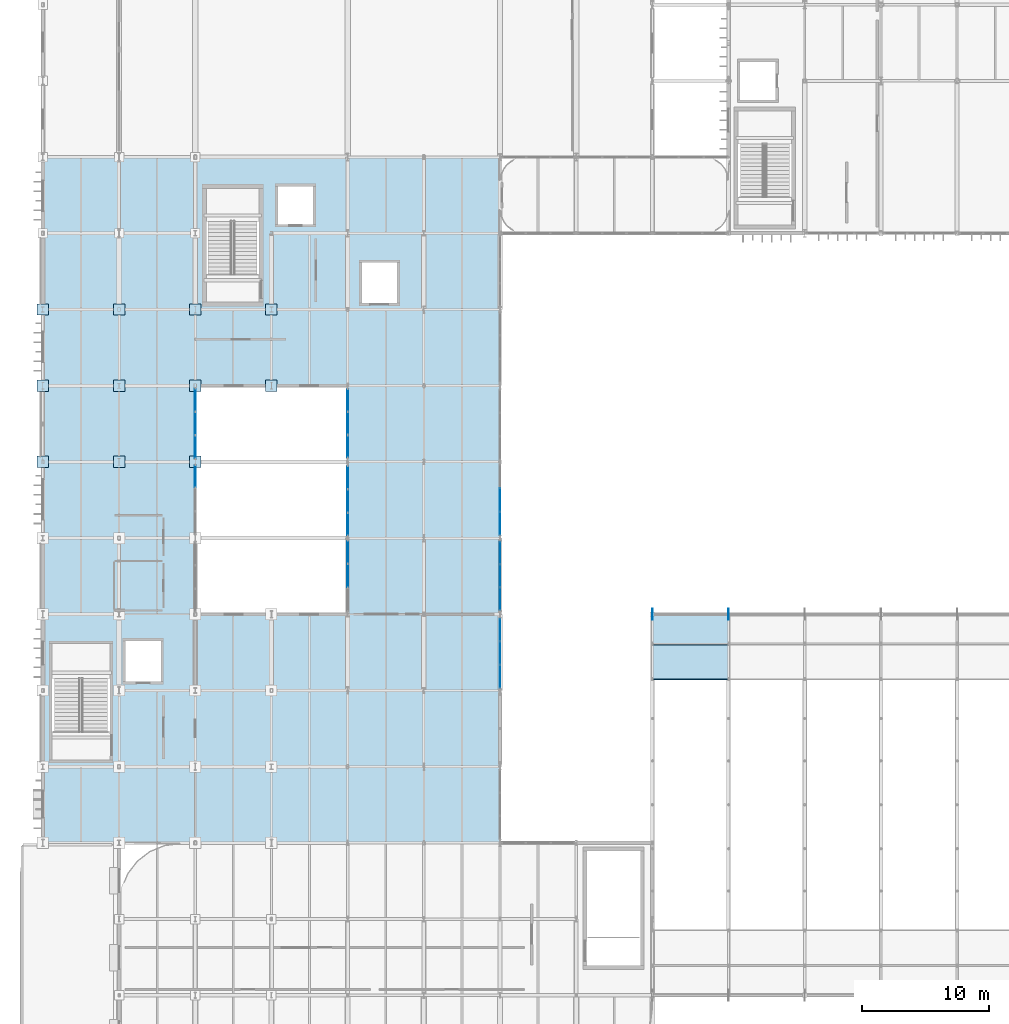
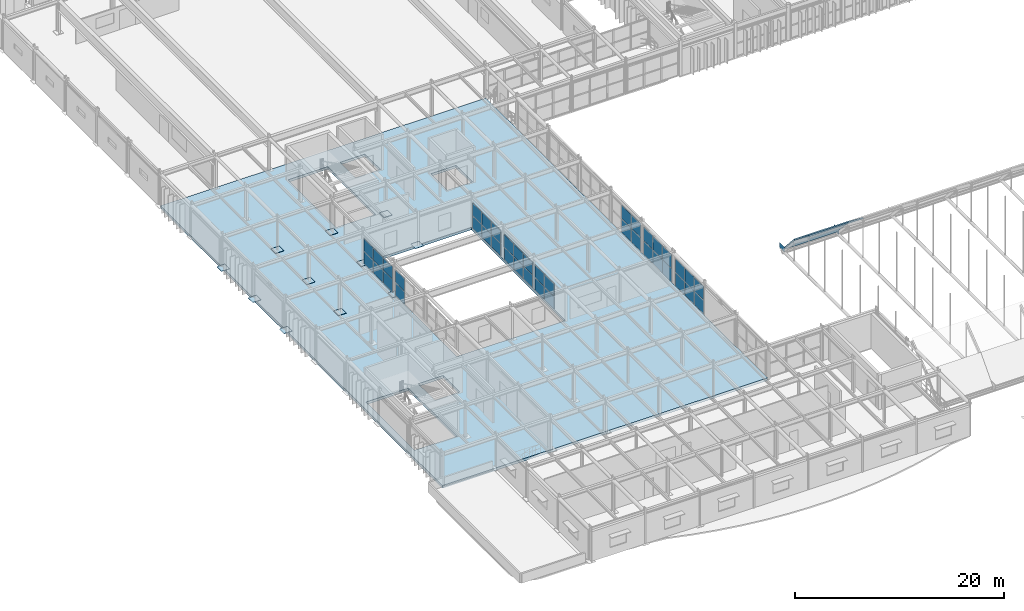
# One storey, part 77 of 116: 53 plates, 3 slabs, 8 elements without a shape of their own.
"""IFC4 building model written with IfcOpenShell, lengths in metres."""

from ifc_helpers import new_model, si_unit, direction, frame, origin, origin_2d, place, context, subcontext, project, spatial, polyline, rectangle, outline, extrude, material, layer, layer_set, type_object, element, aggregate, save


model = new_model("IFC4")

# Units and contexts
model_context = context("Model", 3, precision=1e-05, world=origin(), true_north=direction((0.0, 1.0)))
body_context = subcontext(model_context, "Body", "Model", "MODEL_VIEW")
ifc_project = project(units=[si_unit("LENGTHUNIT", "METRE"), si_unit("AREAUNIT", "SQUARE_METRE"), si_unit("VOLUMEUNIT", "CUBIC_METRE"), si_unit("PLANEANGLEUNIT", "RADIAN"), si_unit("MASSUNIT", "GRAM", prefix="KILO")], contexts=[model_context])

# Site, building, storey
site_placement = place(None, origin())
site = spatial("IfcSite", under=ifc_project, at=site_placement, CompositionType="ELEMENT")
building_placement = place(site_placement, origin())
building = spatial("IfcBuilding", under=site, at=building_placement, Name="Varnakota Square Police Headquarters", CompositionType="ELEMENT")
storey_placement = place(building_placement, frame((0.0, 0.0, 9.300048828125)))
storey = spatial("IfcBuildingStorey", under=building, at=storey_placement, Name="L02", CompositionType="ELEMENT", Elevation=9.300048828125)

# Curtain wall, plates
ifc_material_1 = material(Name="Anodised Aluminium Framing", Category="aluminium")
curtain_wall_type_1 = type_object("IfcCurtainWallType", Name="CW-SYS-D", PredefinedType="NOTDEFINED", material=ifc_material_1)
curtain_wall_1_placement = place(storey_placement, origin())
curtain_wall_1 = element("IfcCurtainWall", 1, at=curtain_wall_1_placement, inside=storey, type_object=curtain_wall_type_1, Name="Unitised curtain wall CWG-L02-155", PredefinedType="NOTDEFINED")
ifc_material_2 = material(Name="Solar-Control Laminated Double Glazing", Category="glass")
ifc_layer_1 = layer(ifc_material_2, 0.028076171875, Name="Solar-Control Laminated Double Glazing")
ifc_layer_set_1 = layer_set([ifc_layer_1], Name="Solar-Control Laminated Double Glazing")
plate_type_1 = type_object("IfcPlateType", Name="CWP-GLZ-28", PredefinedType="CURTAIN_PANEL", material=ifc_layer_set_1)
plate_1_placement = place(storey_placement, frame((42.0, 34.0986328125, 0.06494140625), z_axis=(0.0, 0.0, 1.0), x_axis=(0.0, 1.0, 0.0)))
plate_1 = element("IfcPlate", 2, at=plate_1_placement, type_object=plate_type_1, Name="CWG-L02-155 panel 1.1", PredefinedType="CURTAIN_PANEL", context=body_context, shape_type="SweptSolid", body=[
    extrude(rectangle(XDim=1.757568359375, YDim=0.028076171875, at=origin_2d()), origin(), (0.0, 0.0, 1.0), 1.572509765625),
])
plate_2_placement = place(storey_placement, frame((42.0, 35.9375, 0.06494140625), z_axis=(0.0, 0.0, 1.0), x_axis=(0.0, 1.0, 0.0)))
plate_2 = element("IfcPlate", 3, at=plate_2_placement, type_object=plate_type_1, Name="CWG-L02-155 panel 2.1", PredefinedType="CURTAIN_PANEL", context=body_context, shape_type="SweptSolid", body=[
    extrude(rectangle(XDim=1.7900390625, YDim=0.028076171875, at=origin_2d()), origin(), (0.0, 0.0, 1.0), 1.572509765625),
])
plate_3_placement = place(storey_placement, frame((42.0, 37.7763671875, 0.06494140625), z_axis=(0.0, 0.0, 1.0), x_axis=(0.0, 1.0, 0.0)))
plate_3 = element("IfcPlate", 4, at=plate_3_placement, type_object=plate_type_1, Name="CWG-L02-155 panel 3.1", PredefinedType="CURTAIN_PANEL", context=body_context, shape_type="SweptSolid", body=[
    extrude(rectangle(XDim=1.757568359375, YDim=0.028076171875, at=origin_2d()), origin(), (0.0, 0.0, 1.0), 1.572509765625),
])

# Curtain wall, plate
curtain_wall_type_2 = type_object("IfcCurtainWallType", Name="CW-SYS-F", PredefinedType="NOTDEFINED", material=ifc_material_1)
curtain_wall_2_placement = place(storey_placement, origin())
curtain_wall_2 = element("IfcCurtainWall", 5, at=curtain_wall_2_placement, inside=storey, type_object=curtain_wall_type_2, Name="Unitised curtain wall CWG-L02-163", PredefinedType="NOTDEFINED")
plate_4_placement = place(storey_placement, frame((18.0, 49.859619140625, 0.06494140625), z_axis=(0.0, 0.0, 1.0), x_axis=(0.0, 1.0, 0.0)))
plate_4 = element("IfcPlate", 6, at=plate_4_placement, type_object=plate_type_1, Name="CWG-L02-163 panel 3.1", PredefinedType="CURTAIN_PANEL", context=body_context, shape_type="SweptSolid", body=[
    extrude(rectangle(XDim=1.74072265625, YDim=0.028076171875, at=origin_2d()), origin(), (0.0, 0.0, 1.0), 1.447509765625),
])

# Curtain wall, plates
curtain_wall_3_placement = place(storey_placement, origin())
curtain_wall_3 = element("IfcCurtainWall", 7, at=curtain_wall_3_placement, inside=storey, type_object=curtain_wall_type_1, Name="Unitised curtain wall CWG-L02-156", PredefinedType="NOTDEFINED")
ifc_material_3 = material(Name="Acoustic Laminated Double Glazing", Category="glass")
ifc_layer_2 = layer(ifc_material_3, 0.031982421875, Name="Acoustic Laminated Double Glazing")
ifc_layer_set_2 = layer_set([ifc_layer_2], Name="Acoustic Laminated Double Glazing")
plate_type_2 = type_object("IfcPlateType", Name="CWP-GLZ-32", PredefinedType="CURTAIN_PANEL", material=ifc_layer_set_2)
plate_5_placement = place(storey_placement, frame((42.0, 40.21533203125, 0.06494140625), z_axis=(0.0, 0.0, 1.0), x_axis=(0.0, 1.0, 0.0)))
plate_5 = element("IfcPlate", 8, at=plate_5_placement, type_object=plate_type_2, Name="CWG-L02-156 panel 1.1", PredefinedType="CURTAIN_PANEL", context=body_context, shape_type="SweptSolid", body=[
    extrude(rectangle(XDim=1.74072265625, YDim=0.031982421875, at=origin_2d()), origin(), (0.0, 0.0, 1.0), 1.572509765625),
])
plate_6_placement = place(storey_placement, frame((42.0, 42.03759765625, 0.06494140625), z_axis=(0.0, 0.0, 1.0), x_axis=(0.0, 1.0, 0.0)))
plate_6 = element("IfcPlate", 9, at=plate_6_placement, type_object=plate_type_2, Name="CWG-L02-156 panel 2.1", PredefinedType="CURTAIN_PANEL", context=body_context, shape_type="SweptSolid", body=[
    extrude(rectangle(XDim=1.7734375, YDim=0.031982421875, at=origin_2d()), origin(), (0.0, 0.0, 1.0), 1.572509765625),
])
plate_7_placement = place(storey_placement, frame((42.0, 43.859619140625, 0.06494140625), z_axis=(0.0, 0.0, 1.0), x_axis=(0.0, 1.0, 0.0)))
plate_7 = element("IfcPlate", 10, at=plate_7_placement, type_object=plate_type_2, Name="CWG-L02-156 panel 3.1", PredefinedType="CURTAIN_PANEL", context=body_context, shape_type="SweptSolid", body=[
    extrude(rectangle(XDim=1.74072265625, YDim=0.031982421875, at=origin_2d()), origin(), (0.0, 0.0, 1.0), 1.572509765625),
])

curtain_wall_4_placement = place(storey_placement, origin())
curtain_wall_4 = element("IfcCurtainWall", 11, at=curtain_wall_4_placement, inside=storey, type_object=curtain_wall_type_2, Name="Unitised curtain wall CWG-L02-164", PredefinedType="NOTDEFINED")
plate_8_placement = place(storey_placement, frame((30.0, 46.0986328125, 0.06494140625), z_axis=(0.0, 0.0, 1.0), x_axis=(0.0, 1.0, 0.0)))
plate_8 = element("IfcPlate", 12, at=plate_8_placement, type_object=plate_type_2, Name="CWG-L02-164 panel 1.1", PredefinedType="CURTAIN_PANEL", context=body_context, shape_type="SweptSolid", body=[
    extrude(rectangle(XDim=1.757568359375, YDim=0.031982421875, at=origin_2d()), origin(), (0.0, 0.0, 1.0), 1.447509765625),
])
plate_9_placement = place(storey_placement, frame((30.0, 47.9375, 0.06494140625), z_axis=(0.0, 0.0, 1.0), x_axis=(0.0, 1.0, 0.0)))
plate_9 = element("IfcPlate", 13, at=plate_9_placement, type_object=plate_type_2, Name="CWG-L02-164 panel 2.1", PredefinedType="CURTAIN_PANEL", context=body_context, shape_type="SweptSolid", body=[
    extrude(rectangle(XDim=1.7900390625, YDim=0.031982421875, at=origin_2d()), origin(), (0.0, 0.0, 1.0), 1.447509765625),
])
plate_10_placement = place(storey_placement, frame((30.0, 49.7763671875, 0.06494140625), z_axis=(0.0, 0.0, 1.0), x_axis=(0.0, 1.0, 0.0)))
plate_10 = element("IfcPlate", 14, at=plate_10_placement, type_object=plate_type_2, Name="CWG-L02-164 panel 3.1", PredefinedType="CURTAIN_PANEL", context=body_context, shape_type="SweptSolid", body=[
    extrude(rectangle(XDim=1.757568359375, YDim=0.031982421875, at=origin_2d()), origin(), (0.0, 0.0, 1.0), 1.447509765625),
])

curtain_wall_5_placement = place(storey_placement, origin())
curtain_wall_5 = element("IfcCurtainWall", 15, at=curtain_wall_5_placement, inside=storey, type_object=curtain_wall_type_1, Name="Unitised curtain wall CWG-L02-157", PredefinedType="NOTDEFINED")
ifc_material_4 = material(Name="Blast-Resistant Laminated Glazing", Category="glass")
ifc_layer_3 = layer(ifc_material_4, 0.035888671875, Name="Blast-Resistant Laminated Glazing")
ifc_layer_set_3 = layer_set([ifc_layer_3], Name="Blast-Resistant Laminated Glazing")
plate_type_3 = type_object("IfcPlateType", Name="CWP-GLZ-36", PredefinedType="CURTAIN_PANEL", material=ifc_layer_set_3)
plate_11_placement = place(storey_placement, frame((42.0, 46.1611328125, 0.06494140625), z_axis=(0.0, 0.0, 1.0), x_axis=(0.0, 1.0, 0.0)))
plate_11 = element("IfcPlate", 16, at=plate_11_placement, type_object=plate_type_3, Name="CWG-L02-157 panel 1.1", PredefinedType="CURTAIN_PANEL", context=body_context, shape_type="SweptSolid", body=[
    extrude(rectangle(XDim=1.782470703125, YDim=0.035888671875, at=origin_2d()), origin(), (0.0, 0.0, 1.0), 1.572509765625),
])
plate_12_placement = place(storey_placement, frame((42.0, 48.02490234375, 0.06494140625), z_axis=(0.0, 0.0, 1.0), x_axis=(0.0, 1.0, 0.0)))
plate_12 = element("IfcPlate", 17, at=plate_12_placement, type_object=plate_type_3, Name="CWG-L02-157 panel 2.1", PredefinedType="CURTAIN_PANEL", context=body_context, shape_type="SweptSolid", body=[
    extrude(rectangle(XDim=1.81494140625, YDim=0.035888671875, at=origin_2d()), origin(), (0.0, 0.0, 1.0), 1.572509765625),
])

curtain_wall_6_placement = place(storey_placement, origin())
curtain_wall_6 = element("IfcCurtainWall", 18, at=curtain_wall_6_placement, inside=storey, type_object=curtain_wall_type_2, Name="Unitised curtain wall CWG-L02-165", PredefinedType="NOTDEFINED")
plate_13_placement = place(storey_placement, frame((18.0, 52.1611328125, 0.06494140625), z_axis=(0.0, 0.0, 1.0), x_axis=(0.0, 1.0, 0.0)))
plate_13 = element("IfcPlate", 19, at=plate_13_placement, type_object=plate_type_3, Name="CWG-L02-165 panel 1.1", PredefinedType="CURTAIN_PANEL", context=body_context, shape_type="SweptSolid", body=[
    extrude(rectangle(XDim=1.782470703125, YDim=0.035888671875, at=origin_2d()), origin(), (0.0, 0.0, 1.0), 1.447509765625),
])
plate_14_placement = place(storey_placement, frame((18.0, 54.02490234375, 0.06494140625), z_axis=(0.0, 0.0, 1.0), x_axis=(0.0, 1.0, 0.0)))
plate_14 = element("IfcPlate", 20, at=plate_14_placement, type_object=plate_type_3, Name="CWG-L02-165 panel 2.1", PredefinedType="CURTAIN_PANEL", context=body_context, shape_type="SweptSolid", body=[
    extrude(rectangle(XDim=1.81494140625, YDim=0.035888671875, at=origin_2d()), origin(), (0.0, 0.0, 1.0), 1.447509765625),
])
plate_15_placement = place(storey_placement, frame((18.0, 55.888671875, 0.06494140625), z_axis=(0.0, 0.0, 1.0), x_axis=(0.0, 1.0, 0.0)))
plate_15 = element("IfcPlate", 21, at=plate_15_placement, type_object=plate_type_3, Name="CWG-L02-165 panel 3.1", PredefinedType="CURTAIN_PANEL", context=body_context, shape_type="SweptSolid", body=[
    extrude(rectangle(XDim=1.782470703125, YDim=0.035888671875, at=origin_2d()), origin(), (0.0, 0.0, 1.0), 1.447509765625),
])

curtain_wall_7_placement = place(storey_placement, origin())
curtain_wall_7 = element("IfcCurtainWall", 22, at=curtain_wall_7_placement, inside=storey, type_object=curtain_wall_type_2, Name="Unitised curtain wall CWG-L02-162", PredefinedType="NOTDEFINED")
ifc_material_5 = material(Name="Triple-Glazed Clean-Lab Vision Unit", Category="aluminium")
ifc_layer_4 = layer(ifc_material_5, 0.0419921875, Name="Triple-Glazed Clean-Lab Vision Unit")
ifc_layer_set_4 = layer_set([ifc_layer_4], Name="Triple-Glazed Clean-Lab Vision Unit")
plate_type_4 = type_object("IfcPlateType", Name="CWP-GLZ-42", PredefinedType="CURTAIN_PANEL", material=ifc_layer_set_4)
plate_16_placement = place(storey_placement, frame((30.0, 42.02490234375, 0.06494140625), z_axis=(0.0, 0.0, 1.0), x_axis=(0.0, 1.0, 0.0)))
plate_16 = element("IfcPlate", 23, at=plate_16_placement, type_object=plate_type_4, Name="CWG-L02-162 panel 2.1", PredefinedType="CURTAIN_PANEL", context=body_context, shape_type="SweptSolid", body=[
    extrude(rectangle(XDim=1.81494140625, YDim=0.0419921875, at=origin_2d()), origin(), (0.0, 0.0, 1.0), 1.447509765625),
])
plate_17_placement = place(storey_placement, frame((30.0, 43.888671875, 0.06494140625), z_axis=(0.0, 0.0, 1.0), x_axis=(0.0, 1.0, 0.0)))
plate_17 = element("IfcPlate", 24, at=plate_17_placement, type_object=plate_type_4, Name="CWG-L02-162 panel 3.1", PredefinedType="CURTAIN_PANEL", context=body_context, shape_type="SweptSolid", body=[
    extrude(rectangle(XDim=1.782470703125, YDim=0.0419921875, at=origin_2d()), origin(), (0.0, 0.0, 1.0), 1.447509765625),
])

curtain_wall_8_placement = place(storey_placement, origin())
curtain_wall_8 = element("IfcCurtainWall", 25, at=curtain_wall_8_placement, inside=storey, type_object=curtain_wall_type_2, Name="Unitised curtain wall CWG-L02-166", PredefinedType="NOTDEFINED")
plate_18_placement = place(storey_placement, frame((30.0, 52.21533203125, 0.06494140625), z_axis=(0.0, 0.0, 1.0), x_axis=(0.0, 1.0, 0.0)))
plate_18 = element("IfcPlate", 26, at=plate_18_placement, type_object=plate_type_4, Name="CWG-L02-166 panel 1.1", PredefinedType="CURTAIN_PANEL", context=body_context, shape_type="SweptSolid", body=[
    extrude(rectangle(XDim=1.74072265625, YDim=0.0419921875, at=origin_2d()), origin(), (0.0, 0.0, 1.0), 1.447509765625),
])
plate_19_placement = place(storey_placement, frame((30.0, 54.03759765625, 0.06494140625), z_axis=(0.0, 0.0, 1.0), x_axis=(0.0, 1.0, 0.0)))
plate_19 = element("IfcPlate", 27, at=plate_19_placement, type_object=plate_type_4, Name="CWG-L02-166 panel 2.1", PredefinedType="CURTAIN_PANEL", context=body_context, shape_type="SweptSolid", body=[
    extrude(rectangle(XDim=1.7734375, YDim=0.0419921875, at=origin_2d()), origin(), (0.0, 0.0, 1.0), 1.447509765625),
])
plate_20_placement = place(storey_placement, frame((30.0, 55.859619140625, 0.06494140625), z_axis=(0.0, 0.0, 1.0), x_axis=(0.0, 1.0, 0.0)))
plate_20 = element("IfcPlate", 28, at=plate_20_placement, type_object=plate_type_4, Name="CWG-L02-166 panel 3.1", PredefinedType="CURTAIN_PANEL", context=body_context, shape_type="SweptSolid", body=[
    extrude(rectangle(XDim=1.74072265625, YDim=0.0419921875, at=origin_2d()), origin(), (0.0, 0.0, 1.0), 1.447509765625),
])

# Plate
ifc_material_6 = material(Name="Insulated Anodised Aluminium Spandrel Panel", Category="aluminium")
ifc_layer_5 = layer(ifc_material_6, 0.050048828125, Name="Insulated Anodised Aluminium Spandrel Panel")
ifc_layer_set_5 = layer_set([ifc_layer_5], Name="Insulated Anodised Aluminium Spandrel Panel")
plate_type_5 = type_object("IfcPlateType", Name="CWP-SPN-50", PredefinedType="CURTAIN_PANEL", material=ifc_layer_set_5)
plate_21_placement = place(storey_placement, frame((42.0, 34.0986328125, 1.70263671875), z_axis=(0.0, 0.0, 1.0), x_axis=(0.0, 1.0, 0.0)))
plate_21 = element("IfcPlate", 29, at=plate_21_placement, type_object=plate_type_5, Name="CWG-L02-155 panel 1.2", PredefinedType="CURTAIN_PANEL", context=body_context, shape_type="SweptSolid", body=[
    extrude(rectangle(XDim=1.757568359375, YDim=0.050048828125, at=origin_2d()), origin(), (0.0, 0.0, 1.0), 1.572509765625),
])

plate_22_placement = place(storey_placement, frame((42.0, 35.9375, 1.70263671875), z_axis=(0.0, 0.0, 1.0), x_axis=(0.0, 1.0, 0.0)))
plate_22 = element("IfcPlate", 30, at=plate_22_placement, type_object=plate_type_5, Name="CWG-L02-155 panel 2.2", PredefinedType="CURTAIN_PANEL", context=body_context, shape_type="SweptSolid", body=[
    extrude(rectangle(XDim=1.7900390625, YDim=0.050048828125, at=origin_2d()), origin(), (0.0, 0.0, 1.0), 1.572509765625),
])

plate_23_placement = place(storey_placement, frame((42.0, 37.7763671875, 1.70263671875), z_axis=(0.0, 0.0, 1.0), x_axis=(0.0, 1.0, 0.0)))
plate_23 = element("IfcPlate", 31, at=plate_23_placement, type_object=plate_type_5, Name="CWG-L02-155 panel 3.2", PredefinedType="CURTAIN_PANEL", context=body_context, shape_type="SweptSolid", body=[
    extrude(rectangle(XDim=1.757568359375, YDim=0.050048828125, at=origin_2d()), origin(), (0.0, 0.0, 1.0), 1.572509765625),
])

aggregate(curtain_wall_1, [plate_1, plate_21, plate_2, plate_22, plate_3, plate_23])

plate_24_placement = place(storey_placement, frame((42.0, 46.1611328125, 1.70263671875), z_axis=(0.0, 0.0, 1.0), x_axis=(0.0, 1.0, 0.0)))
plate_24 = element("IfcPlate", 32, at=plate_24_placement, type_object=plate_type_5, Name="CWG-L02-157 panel 1.2", PredefinedType="CURTAIN_PANEL", context=body_context, shape_type="SweptSolid", body=[
    extrude(rectangle(XDim=1.782470703125, YDim=0.050048828125, at=origin_2d()), origin(), (0.0, 0.0, 1.0), 1.572509765625),
])

plate_25_placement = place(storey_placement, frame((42.0, 48.02490234375, 1.70263671875), z_axis=(0.0, 0.0, 1.0), x_axis=(0.0, 1.0, 0.0)))
plate_25 = element("IfcPlate", 33, at=plate_25_placement, type_object=plate_type_5, Name="CWG-L02-157 panel 2.2", PredefinedType="CURTAIN_PANEL", context=body_context, shape_type="SweptSolid", body=[
    extrude(rectangle(XDim=1.81494140625, YDim=0.050048828125, at=origin_2d()), origin(), (0.0, 0.0, 1.0), 1.572509765625),
])

aggregate(curtain_wall_5, [plate_11, plate_24, plate_12, plate_25])

plate_26_placement = place(storey_placement, frame((18.0, 49.859619140625, 1.57763671875), z_axis=(0.0, 0.0, 1.0), x_axis=(0.0, 1.0, 0.0)))
plate_26 = element("IfcPlate", 34, at=plate_26_placement, type_object=plate_type_5, Name="CWG-L02-163 panel 3.2", PredefinedType="CURTAIN_PANEL", context=body_context, shape_type="SweptSolid", body=[
    extrude(rectangle(XDim=1.74072265625, YDim=0.050048828125, at=origin_2d()), origin(), (0.0, 0.0, 1.0), 1.447509765625),
])

aggregate(curtain_wall_2, [plate_4, plate_26])

plate_27_placement = place(storey_placement, frame((18.0, 52.1611328125, 1.57763671875), z_axis=(0.0, 0.0, 1.0), x_axis=(0.0, 1.0, 0.0)))
plate_27 = element("IfcPlate", 35, at=plate_27_placement, type_object=plate_type_5, Name="CWG-L02-165 panel 1.2", PredefinedType="CURTAIN_PANEL", context=body_context, shape_type="SweptSolid", body=[
    extrude(rectangle(XDim=1.782470703125, YDim=0.050048828125, at=origin_2d()), origin(), (0.0, 0.0, 1.0), 1.447509765625),
])

plate_28_placement = place(storey_placement, frame((18.0, 54.02490234375, 1.57763671875), z_axis=(0.0, 0.0, 1.0), x_axis=(0.0, 1.0, 0.0)))
plate_28 = element("IfcPlate", 36, at=plate_28_placement, type_object=plate_type_5, Name="CWG-L02-165 panel 2.2", PredefinedType="CURTAIN_PANEL", context=body_context, shape_type="SweptSolid", body=[
    extrude(rectangle(XDim=1.81494140625, YDim=0.050048828125, at=origin_2d()), origin(), (0.0, 0.0, 1.0), 1.447509765625),
])

plate_29_placement = place(storey_placement, frame((18.0, 55.888671875, 1.57763671875), z_axis=(0.0, 0.0, 1.0), x_axis=(0.0, 1.0, 0.0)))
plate_29 = element("IfcPlate", 37, at=plate_29_placement, type_object=plate_type_5, Name="CWG-L02-165 panel 3.2", PredefinedType="CURTAIN_PANEL", context=body_context, shape_type="SweptSolid", body=[
    extrude(rectangle(XDim=1.782470703125, YDim=0.050048828125, at=origin_2d()), origin(), (0.0, 0.0, 1.0), 1.447509765625),
])

aggregate(curtain_wall_6, [plate_13, plate_27, plate_14, plate_28, plate_15, plate_29])

ifc_material_7 = material(Name="Fire-Stopped Mineral-Wool Spandrel Panel", Category="aluminium")
ifc_layer_6 = layer(ifc_material_7, 0.06005859375, Name="Fire-Stopped Mineral-Wool Spandrel Panel")
ifc_layer_set_6 = layer_set([ifc_layer_6], Name="Fire-Stopped Mineral-Wool Spandrel Panel")
plate_type_6 = type_object("IfcPlateType", Name="CWP-SPN-60", PredefinedType="CURTAIN_PANEL", material=ifc_layer_set_6)
plate_30_placement = place(storey_placement, frame((42.0, 40.21533203125, 1.70263671875), z_axis=(0.0, 0.0, 1.0), x_axis=(0.0, 1.0, 0.0)))
plate_30 = element("IfcPlate", 38, at=plate_30_placement, type_object=plate_type_6, Name="CWG-L02-156 panel 1.2", PredefinedType="CURTAIN_PANEL", context=body_context, shape_type="SweptSolid", body=[
    extrude(rectangle(XDim=1.74072265625, YDim=0.06005859375, at=origin_2d()), origin(), (0.0, 0.0, 1.0), 1.572509765625),
])

plate_31_placement = place(storey_placement, frame((42.0, 42.03759765625, 1.70263671875), z_axis=(0.0, 0.0, 1.0), x_axis=(0.0, 1.0, 0.0)))
plate_31 = element("IfcPlate", 39, at=plate_31_placement, type_object=plate_type_6, Name="CWG-L02-156 panel 2.2", PredefinedType="CURTAIN_PANEL", context=body_context, shape_type="SweptSolid", body=[
    extrude(rectangle(XDim=1.7734375, YDim=0.06005859375, at=origin_2d()), origin(), (0.0, 0.0, 1.0), 1.572509765625),
])

plate_32_placement = place(storey_placement, frame((42.0, 43.859619140625, 1.70263671875), z_axis=(0.0, 0.0, 1.0), x_axis=(0.0, 1.0, 0.0)))
plate_32 = element("IfcPlate", 40, at=plate_32_placement, type_object=plate_type_6, Name="CWG-L02-156 panel 3.2", PredefinedType="CURTAIN_PANEL", context=body_context, shape_type="SweptSolid", body=[
    extrude(rectangle(XDim=1.74072265625, YDim=0.06005859375, at=origin_2d()), origin(), (0.0, 0.0, 1.0), 1.572509765625),
])

aggregate(curtain_wall_3, [plate_5, plate_30, plate_6, plate_31, plate_7, plate_32])

plate_33_placement = place(storey_placement, frame((30.0, 42.02490234375, 1.57763671875), z_axis=(0.0, 0.0, 1.0), x_axis=(0.0, 1.0, 0.0)))
plate_33 = element("IfcPlate", 41, at=plate_33_placement, type_object=plate_type_6, Name="CWG-L02-162 panel 2.2", PredefinedType="CURTAIN_PANEL", context=body_context, shape_type="SweptSolid", body=[
    extrude(rectangle(XDim=1.81494140625, YDim=0.06005859375, at=origin_2d()), origin(), (0.0, 0.0, 1.0), 1.447509765625),
])

plate_34_placement = place(storey_placement, frame((30.0, 43.888671875, 1.57763671875), z_axis=(0.0, 0.0, 1.0), x_axis=(0.0, 1.0, 0.0)))
plate_34 = element("IfcPlate", 42, at=plate_34_placement, type_object=plate_type_6, Name="CWG-L02-162 panel 3.2", PredefinedType="CURTAIN_PANEL", context=body_context, shape_type="SweptSolid", body=[
    extrude(rectangle(XDim=1.782470703125, YDim=0.06005859375, at=origin_2d()), origin(), (0.0, 0.0, 1.0), 1.447509765625),
])

aggregate(curtain_wall_7, [plate_16, plate_33, plate_17, plate_34])

plate_35_placement = place(storey_placement, frame((30.0, 46.0986328125, 1.57763671875), z_axis=(0.0, 0.0, 1.0), x_axis=(0.0, 1.0, 0.0)))
plate_35 = element("IfcPlate", 43, at=plate_35_placement, type_object=plate_type_6, Name="CWG-L02-164 panel 1.2", PredefinedType="CURTAIN_PANEL", context=body_context, shape_type="SweptSolid", body=[
    extrude(rectangle(XDim=1.757568359375, YDim=0.06005859375, at=origin_2d()), origin(), (0.0, 0.0, 1.0), 1.447509765625),
])

plate_36_placement = place(storey_placement, frame((30.0, 47.9375, 1.57763671875), z_axis=(0.0, 0.0, 1.0), x_axis=(0.0, 1.0, 0.0)))
plate_36 = element("IfcPlate", 44, at=plate_36_placement, type_object=plate_type_6, Name="CWG-L02-164 panel 2.2", PredefinedType="CURTAIN_PANEL", context=body_context, shape_type="SweptSolid", body=[
    extrude(rectangle(XDim=1.7900390625, YDim=0.06005859375, at=origin_2d()), origin(), (0.0, 0.0, 1.0), 1.447509765625),
])

plate_37_placement = place(storey_placement, frame((30.0, 49.7763671875, 1.57763671875), z_axis=(0.0, 0.0, 1.0), x_axis=(0.0, 1.0, 0.0)))
plate_37 = element("IfcPlate", 45, at=plate_37_placement, type_object=plate_type_6, Name="CWG-L02-164 panel 3.2", PredefinedType="CURTAIN_PANEL", context=body_context, shape_type="SweptSolid", body=[
    extrude(rectangle(XDim=1.757568359375, YDim=0.06005859375, at=origin_2d()), origin(), (0.0, 0.0, 1.0), 1.447509765625),
])

aggregate(curtain_wall_4, [plate_8, plate_35, plate_9, plate_36, plate_10, plate_37])

plate_38_placement = place(storey_placement, frame((30.0, 52.21533203125, 1.57763671875), z_axis=(0.0, 0.0, 1.0), x_axis=(0.0, 1.0, 0.0)))
plate_38 = element("IfcPlate", 46, at=plate_38_placement, type_object=plate_type_6, Name="CWG-L02-166 panel 1.2", PredefinedType="CURTAIN_PANEL", context=body_context, shape_type="SweptSolid", body=[
    extrude(rectangle(XDim=1.74072265625, YDim=0.06005859375, at=origin_2d()), origin(), (0.0, 0.0, 1.0), 1.447509765625),
])

plate_39_placement = place(storey_placement, frame((30.0, 54.03759765625, 1.57763671875), z_axis=(0.0, 0.0, 1.0), x_axis=(0.0, 1.0, 0.0)))
plate_39 = element("IfcPlate", 47, at=plate_39_placement, type_object=plate_type_6, Name="CWG-L02-166 panel 2.2", PredefinedType="CURTAIN_PANEL", context=body_context, shape_type="SweptSolid", body=[
    extrude(rectangle(XDim=1.7734375, YDim=0.06005859375, at=origin_2d()), origin(), (0.0, 0.0, 1.0), 1.447509765625),
])

plate_40_placement = place(storey_placement, frame((30.0, 55.859619140625, 1.57763671875), z_axis=(0.0, 0.0, 1.0), x_axis=(0.0, 1.0, 0.0)))
plate_40 = element("IfcPlate", 48, at=plate_40_placement, type_object=plate_type_6, Name="CWG-L02-166 panel 3.2", PredefinedType="CURTAIN_PANEL", context=body_context, shape_type="SweptSolid", body=[
    extrude(rectangle(XDim=1.74072265625, YDim=0.06005859375, at=origin_2d()), origin(), (0.0, 0.0, 1.0), 1.447509765625),
])

aggregate(curtain_wall_8, [plate_18, plate_38, plate_19, plate_39, plate_20, plate_40])

# Plates
ifc_material_8 = material(Name="Steel IS 2062 Grade 350", Category="steel")
ifc_layer_7 = layer(ifc_material_8, 0.031982421875, Name="Steel IS 2062 Grade 350")
ifc_layer_set_7 = layer_set([ifc_layer_7], Name="Steel IS 2062 Grade 350")
plate_type_7 = type_object("IfcPlateType", Name="PL-BASE-32", PredefinedType="SHEET", material=ifc_layer_set_7)
for number, where, z_axis, x_axis, name in (
    (49, (6.0, 51.0, 0.0), (0.0, 0.0, 1.0), (1.0, 0.0, 0.0), "Column base plate BP-006"),
    (50, (6.0, 57.0, 0.0), (0.0, 0.0, 1.0), (1.0, 0.0, 0.0), "Column base plate BP-007"),
    (51, (6.0, 63.0, 0.0), (0.0, 0.0, 1.0), (1.0, 0.0, 0.0), "Column base plate BP-008"),
    (52, (12.0, 51.0, 0.0), (0.0, 0.0, 1.0), (1.0, 0.0, 0.0), "Column base plate BP-024"),
    (53, (12.0, 57.0, 0.0), (0.0, 0.0, 1.0), (1.0, 0.0, 0.0), "Column base plate BP-025"),
    (54, (12.0, 63.0, 0.0), (0.0, 0.0, 1.0), (1.0, 0.0, 0.0), "Column base plate BP-026"),
    (55, (18.0, 51.0, 0.0), (0.0, 0.0, 1.0), (1.0, 0.0, 0.0), "Column base plate BP-039"),
    (56, (18.0, 57.0, 0.0), (0.0, 0.0, 1.0), (1.0, 0.0, 0.0), "Column base plate BP-040"),
    (57, (18.0, 63.0, 0.0), (0.0, 0.0, 1.0), (1.0, 0.0, 0.0), "Column base plate BP-041"),
    (58, (24.0, 57.0, 0.0), (0.0, 0.0, 1.0), (1.0, 0.0, 0.0), "Column base plate BP-053"),
    (59, (24.0, 63.0, 0.0), (0.0, 0.0, 1.0), (1.0, 0.0, 0.0), "Column base plate BP-054"),
):
    element("IfcPlate", number, at=place(storey_placement, frame(where, z_axis=z_axis, x_axis=x_axis)), inside=storey, type_object=plate_type_7, Name=name, PredefinedType="SHEET", context=body_context, shape_type="SweptSolid", body=[
        extrude(rectangle(XDim=0.89990234375, YDim=0.89990234375, at=origin_2d()), origin(), (0.0, 0.0, 1.0), 0.031982421875),
    ])
ifc_layer_8 = layer(ifc_material_8, 0.02001953125, Name="Steel IS 2062 Grade 350")
ifc_layer_set_8 = layer_set([ifc_layer_8], Name="Steel IS 2062 Grade 350")
plate_type_8 = type_object("IfcPlateType", Name="PL-GUS-20", PredefinedType="SHEET", material=ifc_layer_set_8)
for number, where, z_axis, x_axis, name in (
    (60, (54.0, 39.0, -0.150146484375), (0.0, 0.0, 1.0), (1.0, 0.0, 0.0), "Vault springing gusset GP-002"),
    (61, (60.0, 39.0, -0.150146484375), (0.0, 0.0, 1.0), (1.0, 0.0, 0.0), "Vault springing gusset GP-004"),
):
    element("IfcPlate", number, at=place(storey_placement, frame(where, z_axis=z_axis, x_axis=x_axis)), inside=storey, type_object=plate_type_8, Name=name, PredefinedType="SHEET", context=body_context, shape_type="SweptSolid", body=[
        extrude(rectangle(XDim=0.02001953125, YDim=0.89990234375, at=origin_2d()), origin(), (0.0, 0.0, 1.0), 0.60009765625),
    ])

# Slabs
ifc_material_9 = material(Name="Concrete M40", Category="concrete")
ifc_layer_9 = layer(ifc_material_9, 0.300048828125, Name="Concrete M40")
ifc_layer_set_9 = layer_set([ifc_layer_9], Name="Concrete M40")
slab_type_1 = type_object("IfcSlabType", Name="SL-LAB-300", PredefinedType="FLOOR", material=ifc_layer_set_9)
slab_1_placement = place(storey_placement, frame((0.0, 0.0, -0.300048828125)))
element("IfcSlab", 62, at=slab_1_placement, inside=storey, type_object=slab_type_1, Name="L02 Evidence Storage Vault Slab", PredefinedType="FLOOR", context=body_context, shape_type="SweptSolid", body=[
    extrude(outline(polyline([(6.0, 21.0), (42.0, 21.0), (42.0, 75.0), (6.0, 75.0), (6.0, 21.0)]), holes=[polyline([(18.0, 39.0), (30.0, 39.0), (30.0, 57.0), (18.0, 57.0), (18.0, 39.0)]), polyline([(6.655029296875, 27.455078125), (11.344970703125, 27.455078125), (11.344970703125, 36.7451171875), (6.655029296875, 36.7451171875), (6.655029296875, 27.455078125)]), polyline([(12.514892578125, 33.715087890625), (15.284912109375, 33.715087890625), (15.284912109375, 36.885009765625), (12.514892578125, 36.885009765625), (12.514892578125, 33.715087890625)]), polyline([(18.7548828125, 63.455078125), (23.14501953125, 63.455078125), (23.14501953125, 72.64501953125), (18.7548828125, 72.64501953125), (18.7548828125, 63.455078125)]), polyline([(24.514892578125, 69.715087890625), (27.284912109375, 69.715087890625), (27.284912109375, 72.68505859375), (24.514892578125, 72.68505859375), (24.514892578125, 69.715087890625)]), polyline([(31.114990234375, 63.514892578125), (33.885009765625, 63.514892578125), (33.885009765625, 66.68505859375), (31.114990234375, 66.68505859375), (31.114990234375, 63.514892578125)])]), origin(), (0.0, 0.0, 1.0), 0.300048828125),
])
ifc_layer_10 = layer(ifc_material_9, 0.139892578125, Name="Concrete M40")
ifc_layer_set_10 = layer_set([ifc_layer_10], Name="Concrete M40")
slab_type_2 = type_object("IfcSlabType", Name="SL-VLT-140", PredefinedType="ROOF", material=ifc_layer_set_10)
slab_2_placement = place(storey_placement, frame((54.0, 33.902099609375, 4.671875), z_axis=(0.0, 0.604468039557, 0.7966293926), x_axis=(1.0, 0.0, 0.0)))
element("IfcSlab", 63, at=slab_2_placement, inside=storey, type_object=slab_type_2, Name="Barrel vault roof deck strip V1-B01-S09", PredefinedType="ROOF", context=body_context, shape_type="SweptSolid", body=[
    extrude(outline(polyline([(0.0, 0.0), (6.0, 0.0), (6.0, 3.472271180231597), (0.0, 3.472271180231597), (0.0, 0.0)])), origin(), (0.0, 0.0, -1.0), 0.139892578125),
])
slab_3_placement = place(storey_placement, frame((54.0, 36.668212890625, 2.572998046875), z_axis=(0.0, 0.740985858159, 0.671520631111), x_axis=(1.0, 0.0, 0.0)))
element("IfcSlab", 64, at=slab_3_placement, inside=storey, type_object=slab_type_2, Name="Barrel vault roof deck strip V1-B01-S10", PredefinedType="ROOF", context=body_context, shape_type="SweptSolid", body=[
    extrude(outline(polyline([(0.0, 0.0), (6.0, 0.0), (6.0, 3.4723983171102333), (0.0, 3.4723983171102333), (0.0, 0.0)])), origin(), (0.0, 0.0, -1.0), 0.139892578125),
])

save(model, "model.ifc")
